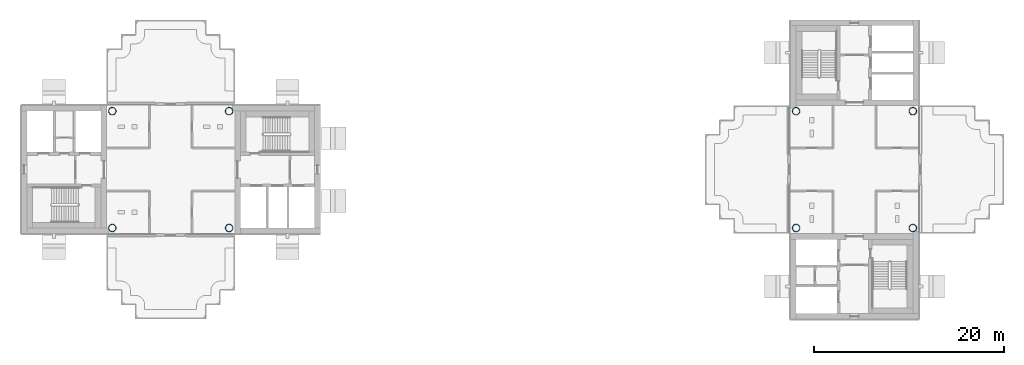
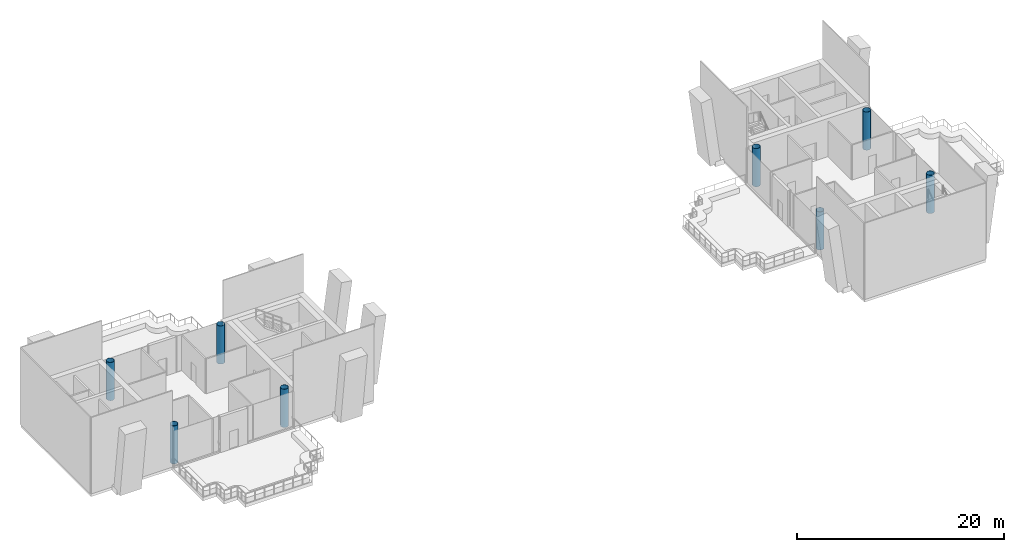
# One storey, part 1 of 17: 8 columns.
"""IFC4 building model written with IfcOpenShell, lengths in metres."""

import ifcopenshell
import ifcopenshell.guid

model = None  # the IFC model being written
_history = None  # IfcOwnerHistory: only IFC2X3 demands one
_inside = {}  # id of a spatial element -> (the spatial element, [elements in it])
_under = {}  # id of a project, library or spatial element -> (it, [spatial elements below it])
_declared = {}  # id of a project -> (the project, [libraries it declares])
_typed = {}  # id of a type object -> (the type object, [elements of that type])
_made_of = {}  # id of a material, layer set ... -> (it, [elements and type objects made of it])


def new_model(schema):
    """Start an empty IFC model of exactly this schema.

    Asked for "IFC4X3", IfcOpenShell would pick the latest addendum, in which some entities
    have other attributes; the version numbers below select the first issue.
    IFC2X3 requires an IfcOwnerHistory on every rooted entity: one is made here for all.
    """
    global model, _history
    if schema == "IFC4X3":
        model = ifcopenshell.file(schema_version=(4, 3, 0, 0))
    else:
        model = ifcopenshell.file(schema=schema)
    _inside.clear()
    _under.clear()
    _declared.clear()
    _typed.clear()
    _made_of.clear()
    _history = None
    if model.schema == "IFC2X3":
        org = make("IfcOrganization", Name="unknown")
        user = make(
            "IfcPersonAndOrganization",
            ThePerson=make("IfcPerson", FamilyName="unknown"),
            TheOrganization=org,
        )
        app = make(
            "IfcApplication",
            ApplicationDeveloper=org,
            Version="unknown",
            ApplicationFullName="unknown",
            ApplicationIdentifier="unknown",
        )
        _history = make(
            "IfcOwnerHistory",
            OwningUser=user,
            OwningApplication=app,
            ChangeAction="ADDED",
            CreationDate=0,
        )
    return model


def make(cls, **values):
    """One entity of the class cls with the attributes given. An attribute that is None is left unset."""
    return model.create_entity(
        cls, **{name: value for name, value in values.items() if value is not None}
    )


def rooted(cls, **values):
    """An entity with a GlobalId (a new one), such as an element, a storey or a relation."""
    return make(cls, GlobalId=ifcopenshell.guid.new(), OwnerHistory=_history, **values)


def si_unit(unit_type, name, prefix=None):
    """IfcSIUnit, for example si_unit("LENGTHUNIT", "METRE", prefix="MILLI")."""
    return make("IfcSIUnit", UnitType=unit_type, Prefix=prefix, Name=name)


def assignment(units):
    """IfcUnitAssignment: the units of a project."""
    return None if units is None else make("IfcUnitAssignment", Units=units)


def point(xyz):
    """IfcCartesianPoint."""
    return None if xyz is None else make("IfcCartesianPoint", Coordinates=xyz)


def direction(xyz):
    """IfcDirection."""
    return None if xyz is None else make("IfcDirection", DirectionRatios=xyz)


def frame(location, z_axis=None, x_axis=None):
    """IfcAxis2Placement3D, a coordinate frame: its origin and axes. An axis left out is left unset."""
    return make(
        "IfcAxis2Placement3D",
        Location=point(location),
        Axis=direction(z_axis),
        RefDirection=direction(x_axis),
    )


def frame_2d(location, x_axis=None):
    """IfcAxis2Placement2D, a coordinate frame in the plane: its origin and x axis."""
    return make(
        "IfcAxis2Placement2D", Location=point(location), RefDirection=direction(x_axis)
    )


def origin():
    """The frame at (0, 0, 0) with its axes left unset."""
    return frame((0.0, 0.0, 0.0))


def origin_2d():
    """The frame at (0, 0) in the plane with its x axis left unset."""
    return frame_2d((0.0, 0.0))


def place(relative_to, where):
    """IfcLocalPlacement: puts the frame where relative to a parent placement (None: the world)."""
    return make(
        "IfcLocalPlacement", PlacementRelTo=relative_to, RelativePlacement=where
    )


def context(
    kind, dimensions, precision=None, world=None, true_north=None, identifier=None
):
    """IfcGeometricRepresentationContext, for example the 3D "Model" context."""
    return make(
        "IfcGeometricRepresentationContext",
        ContextIdentifier=identifier,
        ContextType=kind,
        CoordinateSpaceDimension=dimensions,
        Precision=precision,
        WorldCoordinateSystem=world,
        TrueNorth=true_north,
    )


def subcontext(parent, identifier, kind, view, scale=None):
    """IfcGeometricRepresentationSubContext, for example "Body" below "Model"."""
    return make(
        "IfcGeometricRepresentationSubContext",
        ContextIdentifier=identifier,
        ContextType=kind,
        ParentContext=parent,
        TargetScale=scale,
        TargetView=view,
    )


def project(units=None, contexts=None):
    """IfcProject with its units and contexts."""
    return rooted(
        "IfcProject",
        Name="project",
        RepresentationContexts=contexts,
        UnitsInContext=assignment(units),
    )


def spatial(cls, under=None, at=None, **own):
    """A site, building, storey or space (cls), placed at a placement, below another one or the project."""
    s = rooted(cls, ObjectPlacement=at, **own)
    if under is not None:
        _under.setdefault(under.id(), (under, []))[1].append(s)
    return s


def profile(cls, at=None, kind="AREA", **sizes):
    """A parametric profile (cls). Its sizes go by their IFC names, for example OverallWidth=200.0."""
    return make(cls, ProfileType=kind, Position=at, **sizes)


def hollow_circle(**sizes):
    """IfcCircleHollowProfileDef."""
    return profile("IfcCircleHollowProfileDef", **sizes)


def extrude(swept, where, along, depth):
    """IfcExtrudedAreaSolid: the profile swept, set in the frame where, extruded along a direction by depth."""
    return make(
        "IfcExtrudedAreaSolid",
        SweptArea=swept,
        Position=where,
        ExtrudedDirection=direction(along),
        Depth=depth,
    )


def shape(context_of_items, identifier, shape_type, items):
    """IfcShapeRepresentation: the items that make up one representation, for example the "Body"."""
    return make(
        "IfcShapeRepresentation",
        ContextOfItems=context_of_items,
        RepresentationIdentifier=identifier,
        RepresentationType=shape_type,
        Items=items,
    )


def material(Name=None, Category=None):
    """IfcMaterial."""
    return make("IfcMaterial", Name=Name, Category=Category)


def material_profile(
    of_material, cross_section, Name=None, Category=None, Priority=None
):
    """IfcMaterialProfile: a cross section and its material."""
    return make(
        "IfcMaterialProfile",
        Name=Name,
        Material=of_material,
        Profile=cross_section,
        Priority=Priority,
        Category=Category,
    )


def profile_set(profiles, Name=None, composite=None):
    """IfcMaterialProfileSet."""
    return make(
        "IfcMaterialProfileSet",
        Name=Name,
        MaterialProfiles=profiles,
        CompositeProfile=composite,
    )


def made_of(thing, what):
    """Note that an element or type object is made of a material, layer set ...; save() writes the relation."""
    if what is not None:
        _made_of.setdefault(what.id(), (what, []))[1].append(thing)
    return thing


def type_object(cls, material=None, **own):
    """A type object (cls), such as IfcWallType, which elements share."""
    return made_of(rooted(cls, **own), material)


def element(
    cls,
    number,
    at=None,
    inside=None,
    cuts=None,
    type_object=None,
    material=None,
    context=None,
    identifier="Body",
    shape_type=None,
    held_by="IfcProductDefinitionShape",
    body=None,
    shapes=None,
    **own,
):
    """One element of the class cls, such as IfcWall. Its Tag is "e" and its number.

    at: its placement. inside: the storey or other place that contains it. cuts: it is an
    opening in that element (IfcRelVoidsElement). A single representation is given by context,
    identifier, shape_type and body (its items); several are given by shapes. held_by: the class
    of the entity that holds the representations. save() writes the other relations.
    """
    e = rooted(cls, Tag="e%d" % number, ObjectPlacement=at, **own)
    if body is not None:
        shapes = [shape(context, identifier, shape_type, body)]
    if shapes is not None:
        e.Representation = make(held_by, Representations=shapes)
    if inside is not None:
        _inside.setdefault(inside.id(), (inside, []))[1].append(e)
    if cuts is not None:
        rooted(
            "IfcRelVoidsElement", RelatingBuildingElement=cuts, RelatedOpeningElement=e
        )
    if type_object is not None:
        _typed.setdefault(type_object.id(), (type_object, []))[1].append(e)
    return made_of(e, material)


def aggregate(whole, parts):
    """IfcRelAggregates: a whole, such as a stair, and the parts it consists of."""
    return rooted("IfcRelAggregates", RelatingObject=whole, RelatedObjects=parts)


def save(model, path):
    """Write the relations noted so far, then the file.

    IfcRelAggregates (storeys below a building ...), IfcRelContainedInSpatialStructure (elements
    in a storey), IfcRelDefinesByType, IfcRelAssociatesMaterial and IfcRelDeclares: one each for
    every whole, place, type object, material and project.
    """
    for whole, parts in _under.values():
        aggregate(whole, parts)
    for where, things in _inside.values():
        rooted(
            "IfcRelContainedInSpatialStructure",
            RelatedElements=things,
            RelatingStructure=where,
        )
    for kind, things in _typed.values():
        rooted("IfcRelDefinesByType", RelatedObjects=things, RelatingType=kind)
    for what, things in _made_of.values():
        rooted("IfcRelAssociatesMaterial", RelatedObjects=things, RelatingMaterial=what)
    for by, libraries in _declared.values():
        rooted("IfcRelDeclares", RelatingContext=by, RelatedDefinitions=libraries)
    model.write(path)


model = new_model("IFC4")

# Units and contexts
model_context = context("Model", 3, precision=1e-05, world=origin(), true_north=direction((0.0, 1.0)))
body_context = subcontext(model_context, "Body", "Model", "MODEL_VIEW")
ifc_project = project(units=[si_unit("LENGTHUNIT", "METRE"), si_unit("AREAUNIT", "SQUARE_METRE"), si_unit("VOLUMEUNIT", "CUBIC_METRE"), si_unit("PLANEANGLEUNIT", "RADIAN"), si_unit("MASSUNIT", "GRAM", prefix="KILO")], contexts=[model_context])

# Site, building, storey
site_placement = place(None, origin())
site = spatial("IfcSite", under=ifc_project, at=site_placement, CompositionType="ELEMENT")
building_placement = place(site_placement, origin())
building = spatial("IfcBuilding", under=site, at=building_placement, Name="Ipe Terrace Towers", CompositionType="ELEMENT")
storey_placement = place(building_placement, frame((0.0, 0.0, 246.89990234375)))
storey = spatial("IfcBuildingStorey", under=building, at=storey_placement, Name="L68", CompositionType="ELEMENT", Elevation=246.89990234375)

# Columns
ifc_material = material(Name="Steel S355 tube with Concrete C60/75 fill", Category="concrete")
ifc_material_profile = material_profile(ifc_material, hollow_circle(Radius=0.39990234375, WallThickness=0.028076171875, at=origin_2d()), Name="CHS-800x28")
ifc_profile_set = profile_set([ifc_material_profile], Name="Steel S355 tube with Concrete C60/75 fill")
column_type = type_object("IfcColumnType", Name="CH09 COLUMN CHS-800x28", PredefinedType="COLUMN", material=ifc_profile_set)
for number, where, z_axis, x_axis, name in (
    (1, (-42.14990234375, -6.14990234375, 0.0), (0.0, 0.0, 1.0), (1.0, 0.0, 0.0), "Column T1-C-E01"),
    (2, (-29.85009765625, -6.14990234375, 0.0), (0.0, 0.0, 1.0), (1.0, 0.0, 0.0), "Column T1-C-E02"),
    (3, (-29.85009765625, 6.14990234375, 0.0), (0.0, 0.0, 1.0), (1.0, 0.0, 0.0), "Column T1-C-E03"),
    (4, (-42.14990234375, 6.14990234375, 0.0), (0.0, 0.0, 1.0), (1.0, 0.0, 0.0), "Column T1-C-E04"),
    (5, (42.14990234375, -6.14990234375, 0.0), (0.0, 0.0, 1.0), (1.0, 0.0, 0.0), "Column T2-C-E01"),
    (6, (42.14990234375, 6.14990234375, 0.0), (0.0, 0.0, 1.0), (1.0, 0.0, 0.0), "Column T2-C-E02"),
    (7, (29.85009765625, 6.14990234375, 0.0), (0.0, 0.0, 1.0), (1.0, 0.0, 0.0), "Column T2-C-E03"),
    (8, (29.85009765625, -6.14990234375, 0.0), (0.0, 0.0, 1.0), (1.0, 0.0, 0.0), "Column T2-C-E04"),
):
    element("IfcColumn", number, at=place(storey_placement, frame(where, z_axis=z_axis, x_axis=x_axis)), inside=storey, type_object=column_type, Name=name, PredefinedType="COLUMN", context=body_context, shape_type="SweptSolid", body=[
        extrude(hollow_circle(Radius=0.39990234375, WallThickness=0.028076171875, at=origin_2d()), origin(), (0.0, 0.0, 1.0), 4.5),
    ])

save(model, "model.ifc")
